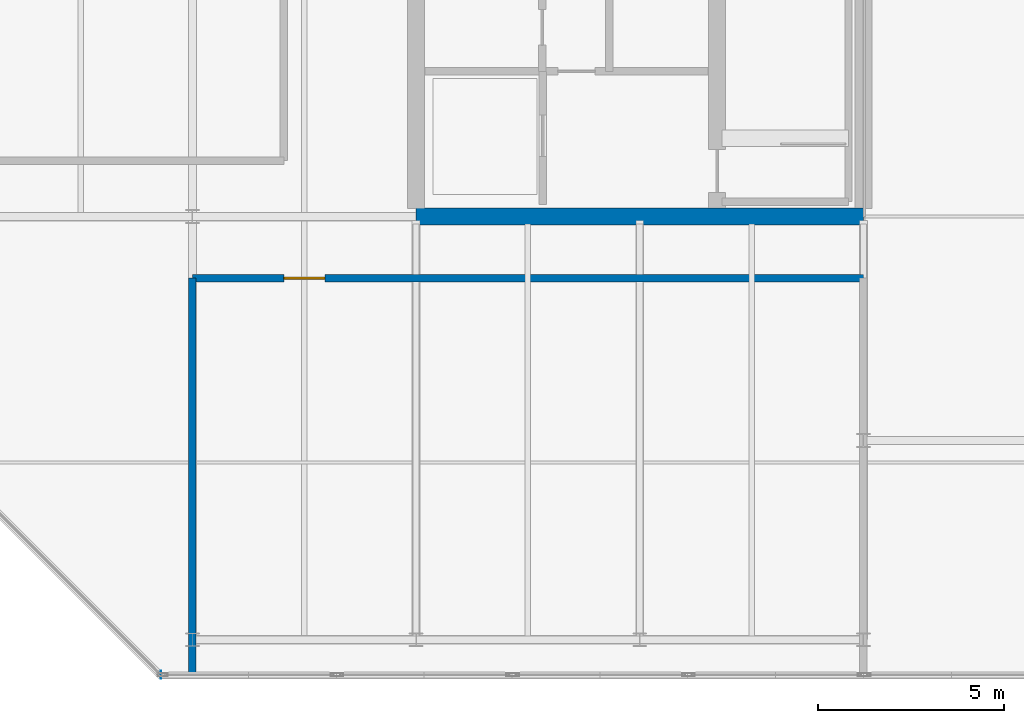
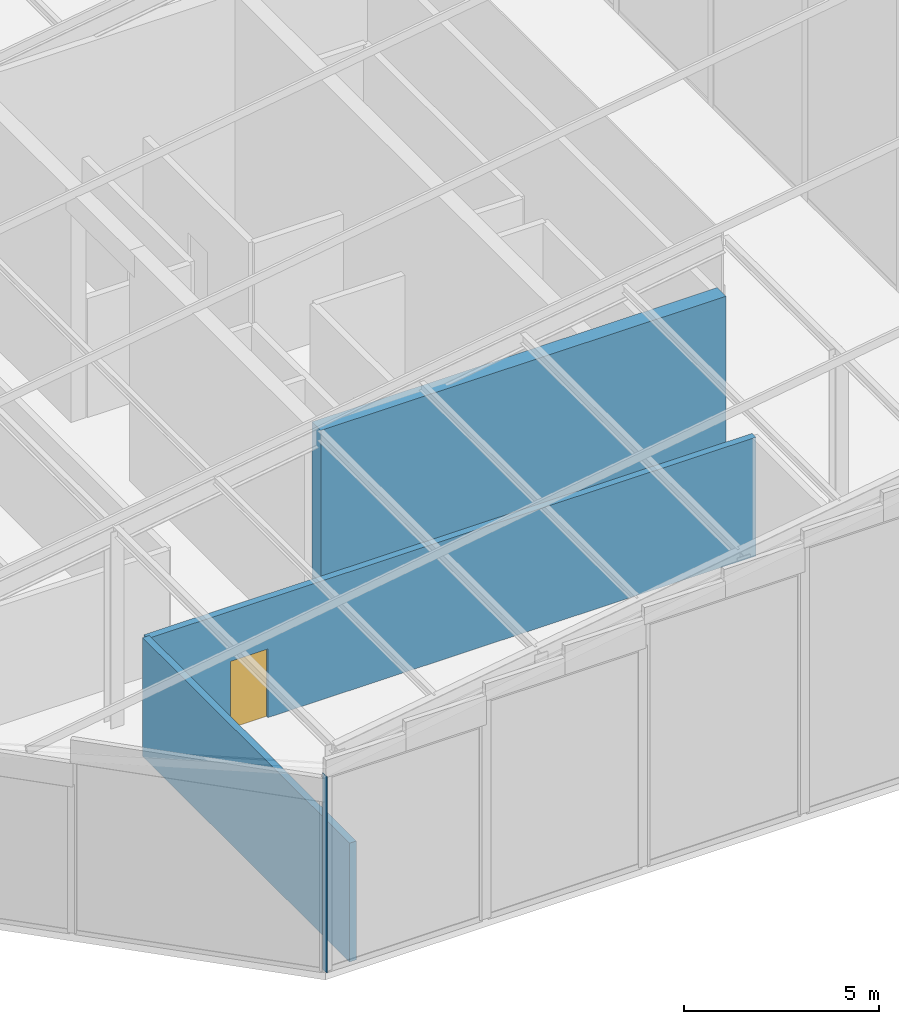
# One storey, part 24 of 30: 4 walls, 1 door, 1 opening.
"""IFC4 building model written with IfcOpenShell, lengths in metres."""

from ifc_helpers import new_model, si_unit, direction, frame, frame_2d, origin, place, context, subcontext, project, spatial, rectangle, extrude, material, layer, layer_set, type_object, element, fill, save


model = new_model("IFC4")

# Units and contexts
model_context = context("Model", 3, precision=1e-05, world=origin(), true_north=direction((0.0, 1.0)))
body_context = subcontext(model_context, "Body", "Model", "MODEL_VIEW")
ifc_project = project(units=[si_unit("LENGTHUNIT", "METRE"), si_unit("AREAUNIT", "SQUARE_METRE"), si_unit("VOLUMEUNIT", "CUBIC_METRE"), si_unit("PLANEANGLEUNIT", "RADIAN"), si_unit("MASSUNIT", "GRAM", prefix="KILO")], contexts=[model_context])

# Site, building, storey
site_placement = place(None, origin())
site = spatial("IfcSite", under=ifc_project, at=site_placement, CompositionType="ELEMENT")
building_placement = place(site_placement, origin())
building = spatial("IfcBuilding", under=site, at=building_placement, Name="Tanjung Sevakor Pilgrim Tower", CompositionType="ELEMENT")
storey_placement = place(building_placement, frame((0.0, 0.0, 287.760009765625)))
storey = spatial("IfcBuildingStorey", under=building, at=storey_placement, Name="L80", CompositionType="ELEMENT", Elevation=287.760009765625)

# Walls
ifc_material_1 = material(Name="Concrete C60/75", Category="concrete")
ifc_layer_1 = layer(ifc_material_1, 0.449951171875)
ifc_layer_set_1 = layer_set([ifc_layer_1], Name="WALL-CW-450")
wall_type_1 = type_object("IfcWallType", Name="WALL-CW-450", PredefinedType="SHEAR", material=ifc_layer_set_1)
wall_1_placement = place(storey_placement, frame((78.0, 24.60009765625, 0.0), z_axis=(0.0, 0.0, 1.0), x_axis=(1.0, 0.0, 0.0)))
element("IfcWall", 1, at=wall_1_placement, inside=storey, type_object=wall_type_1, Name="L80 E Core South Shear Wall", PredefinedType="SHEAR", context=body_context, shape_type="SweptSolid", body=[
    extrude(rectangle(XDim=12.0, YDim=0.449951171875, at=frame_2d((6.0, 0.0))), origin(), (0.0, 0.0, 1.0), 7.209228515625),
])
ifc_material_2 = material(Name="Precast concrete C45/55", Category="concrete")
ifc_layer_2 = layer(ifc_material_2, 0.219970703125)
ifc_layer_set_2 = layer_set([ifc_layer_2], Name="WT-EW-STN4")
wall_type_2 = type_object("IfcWallType", Name="WT-EW-STN4", PredefinedType="SOLIDWALL", material=ifc_layer_set_2)
wall_2_placement = place(storey_placement, frame((71.1455078125, 12.31005859375, 0.0), z_axis=(0.0, 0.0, 1.0), x_axis=(1.0, 0.0, 0.0)))
element("IfcWall", 2, at=wall_2_placement, inside=storey, type_object=wall_type_2, Name="L80 EAST Crown Pier 0-1A", PredefinedType="SOLIDWALL", context=body_context, shape_type="SweptSolid", body=[
    extrude(rectangle(XDim=0.02001953125, YDim=0.219970703125, at=frame_2d((0.010009765625, 0.0))), origin(), (0.0, 0.0, 1.0), 6.15234375),
])

# Wall, opening, door
ifc_material_3 = material(Name="Concrete C40/50", Category="concrete")
ifc_layer_3 = layer(ifc_material_3, 0.199951171875)
ifc_layer_set_3 = layer_set([ifc_layer_3], Name="WT-FPRT-200")
wall_type_3 = type_object("IfcWallType", Name="WT-FPRT-200", PredefinedType="SOLIDWALL", material=ifc_layer_set_3)
wall_3_placement = place(storey_placement, frame((72.0, 22.949951171875, 0.0), z_axis=(0.0, 0.0, 1.0), x_axis=(1.0, 0.0, 0.0)))
wall_3 = element("IfcWall", 3, at=wall_3_placement, inside=storey, type_object=wall_type_3, Name="L80 Partition IW-L80-016", PredefinedType="SOLIDWALL", context=body_context, shape_type="SweptSolid", body=[
    extrude(rectangle(XDim=18.0, YDim=0.199951171875, at=frame_2d((9.0, 0.0))), origin(), (0.0, 0.0, 1.0), 3.719970703125),
])
opening_placement = place(wall_3_placement, frame((2.449951171875, 0.0, 0.0)))
opening = element("IfcOpeningElement", 4, at=opening_placement, cuts=wall_3, Name="Opening ID-FD0", PredefinedType="OPENING", context=body_context, shape_type="SweptSolid", body=[
    extrude(rectangle(XDim=1.10009765625, YDim=2.14990234375, at=frame_2d((0.550048828125, 1.074951171875))), frame((0.0, 0.10986328125, 0.0), z_axis=(0.0, -1.0, 0.0), x_axis=(1.0, 0.0, 0.0)), (0.0, 0.0, 1.0), 0.219970703125),
])
ifc_material_4 = material(Name="Fire-Rated Steel S355J2", Category="steel")
door_type = type_object("IfcDoorType", Name="DT-FIRE-1100", OperationType="NOTDEFINED", PredefinedType="DOOR", material=ifc_material_4)
door_placement = place(opening_placement, origin())
door = element("IfcDoor", 5, at=door_placement, inside=storey, type_object=door_type, Name="L80 South Plant Room Door", OperationType="SINGLE_SWING_LEFT", OverallHeight=2.14990234375, OverallWidth=1.10009765625, PredefinedType="DOOR", context=body_context, shape_type="SweptSolid", body=[
    extrude(rectangle(XDim=1.10009765625, YDim=2.14990234375, at=frame_2d((0.550048828125, 1.074951171875))), frame((0.0, 0.02490234375, 0.0), z_axis=(0.0, -1.0, 0.0), x_axis=(1.0, 0.0, 0.0)), (0.0, 0.0, 1.0), 0.050048828125),
])
fill(opening, door)

# Wall
wall_4_placement = place(storey_placement, frame((72.0, 12.340087890625, 0.0), z_axis=(0.0, 0.0, 1.0), x_axis=(0.0, 1.0, 0.0)))
element("IfcWall", 6, at=wall_4_placement, inside=storey, type_object=wall_type_3, Name="L80 Partition IW-L80-017", PredefinedType="SOLIDWALL", context=body_context, shape_type="SweptSolid", body=[
    extrude(rectangle(XDim=10.60986328125, YDim=0.199951171875, at=frame_2d((5.304931640625, 0.0))), origin(), (0.0, 0.0, 1.0), 3.719970703125),
])

save(model, "model.ifc")
